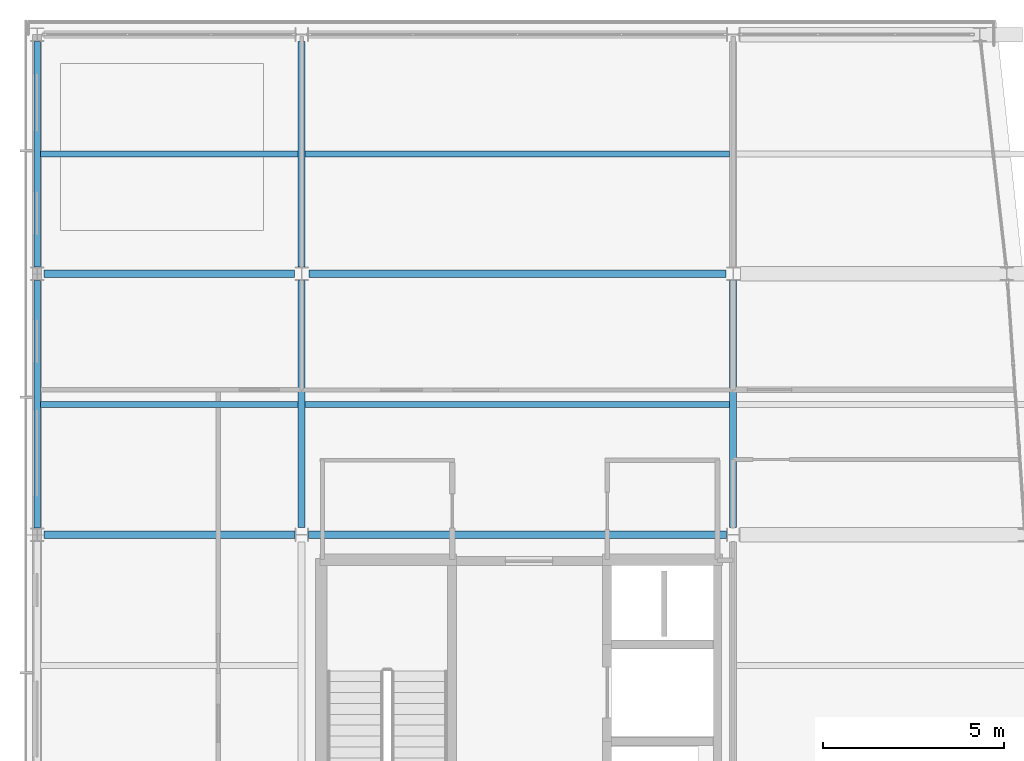
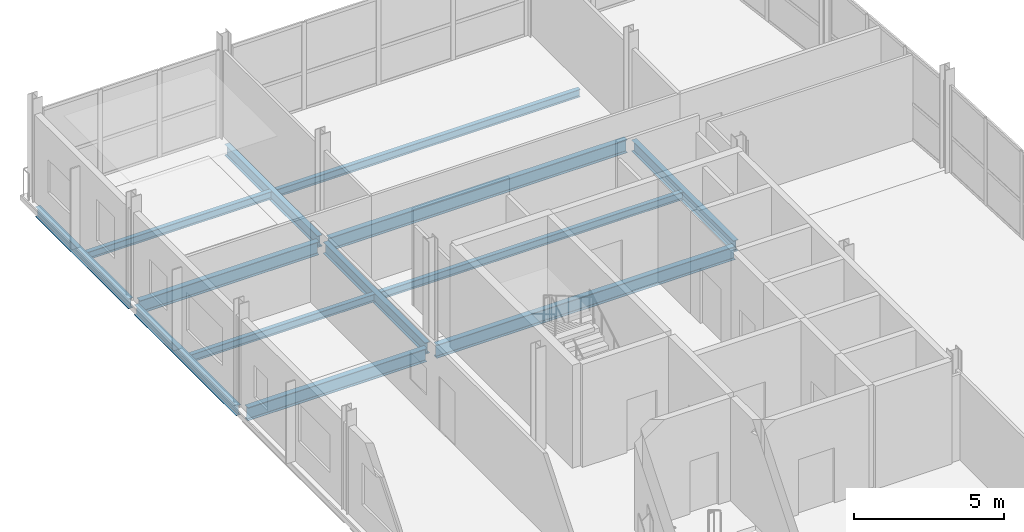
# One storey, part 8 of 23: 13 beams.
"""IFC4 building model written with IfcOpenShell, lengths in metres."""

from ifc_helpers import new_model, si_unit, direction, frame, origin, origin_2d, place, context, subcontext, project, spatial, i_section, extrude, material, material_profile, profile_set, type_object, element, save


model = new_model("IFC4")

# Units and contexts
model_context = context("Model", 3, precision=1e-05, world=origin(), true_north=direction((0.0, 1.0)))
body_context = subcontext(model_context, "Body", "Model", "MODEL_VIEW")
ifc_project = project(units=[si_unit("LENGTHUNIT", "METRE"), si_unit("AREAUNIT", "SQUARE_METRE"), si_unit("VOLUMEUNIT", "CUBIC_METRE"), si_unit("PLANEANGLEUNIT", "RADIAN"), si_unit("MASSUNIT", "GRAM", prefix="KILO")], contexts=[model_context])

# Site, building, storey
site_placement = place(None, origin())
site = spatial("IfcSite", under=ifc_project, at=site_placement, CompositionType="ELEMENT")
building_placement = place(site_placement, origin())
building = spatial("IfcBuilding", under=site, at=building_placement, Name="Quillay Park Conservatory", CompositionType="ELEMENT")
storey_placement = place(building_placement, frame((0.0, 0.0, 22.5)))
storey = spatial("IfcBuildingStorey", under=building, at=storey_placement, Name="L05", CompositionType="ELEMENT", Elevation=22.5)

# Beams
ifc_material_1 = material(Name="Steel ASTM A992 Grade 50", Category="steel")
ifc_material_profile_1 = material_profile(ifc_material_1, i_section(OverallWidth=0.166015625, OverallDepth=0.31298828125, WebThickness=0.006591796875, FlangeThickness=0.01123046875, FilletRadius=0.010009765625, at=origin_2d()), Name="W310x45")
ifc_profile_set_1 = profile_set([ifc_material_profile_1], Name="Steel ASTM A992 Grade 50")
beam_type_1 = type_object("IfcBeamType", Name="COMPOSITE FLOOR JOIST W310 X45", PredefinedType="JOIST", material=ifc_profile_set_1)
beam_1_placement = place(storey_placement, frame((0.639892578125, 103.199951171875, -0.3564453125), z_axis=(1.0, 0.0, 0.0), x_axis=(0.0, 1.0, 0.0)))
element("IfcBeam", 1, at=beam_1_placement, inside=storey, type_object=beam_type_1, Name="L05 beam BM-J-0438", PredefinedType="JOIST", context=body_context, shape_type="SweptSolid", body=[
    extrude(i_section(OverallWidth=0.166015625, OverallDepth=0.31298828125, WebThickness=0.006591796875, FlangeThickness=0.01123046875, FilletRadius=0.010009765625, at=origin_2d()), origin(), (0.0, 0.0, 1.0), 7.114013671875),
])
beam_2_placement = place(storey_placement, frame((7.946044921875, 103.199951171875, -0.3564453125), z_axis=(1.0, 0.0, 0.0), x_axis=(0.0, 1.0, 0.0)))
element("IfcBeam", 2, at=beam_2_placement, inside=storey, type_object=beam_type_1, Name="L05 beam BM-J-0440", PredefinedType="JOIST", context=body_context, shape_type="SweptSolid", body=[
    extrude(i_section(OverallWidth=0.166015625, OverallDepth=0.31298828125, WebThickness=0.006591796875, FlangeThickness=0.01123046875, FilletRadius=0.010009765625, at=origin_2d()), origin(), (0.0, 0.0, 1.0), 11.7080078125),
])
beam_3_placement = place(storey_placement, frame((0.639892578125, 110.10009765625, -0.3564453125), z_axis=(1.0, 0.0, 0.0), x_axis=(0.0, 1.0, 0.0)))
element("IfcBeam", 3, at=beam_3_placement, inside=storey, type_object=beam_type_1, Name="L05 beam BM-J-0445", PredefinedType="JOIST", context=body_context, shape_type="SweptSolid", body=[
    extrude(i_section(OverallWidth=0.166015625, OverallDepth=0.31298828125, WebThickness=0.006591796875, FlangeThickness=0.01123046875, FilletRadius=0.010009765625, at=origin_2d()), origin(), (0.0, 0.0, 1.0), 7.114013671875),
])
beam_4_placement = place(storey_placement, frame((7.946044921875, 110.10009765625, -0.3564453125), z_axis=(1.0, 0.0, 0.0), x_axis=(0.0, 1.0, 0.0)))
element("IfcBeam", 4, at=beam_4_placement, inside=storey, type_object=beam_type_1, Name="L05 beam BM-J-0447", PredefinedType="JOIST", context=body_context, shape_type="SweptSolid", body=[
    extrude(i_section(OverallWidth=0.166015625, OverallDepth=0.31298828125, WebThickness=0.006591796875, FlangeThickness=0.01123046875, FilletRadius=0.010009765625, at=origin_2d()), origin(), (0.0, 0.0, 1.0), 11.7080078125),
])
ifc_material_2 = material(Name="Steel ASTM A992 Grade 50", Category="steel")
ifc_material_profile_2 = material_profile(ifc_material_2, i_section(OverallWidth=0.179931640625, OverallDepth=0.4130859375, WebThickness=0.009765625, FlangeThickness=0.01611328125, FilletRadius=0.011962890625, at=origin_2d()), Name="W410x74")
ifc_profile_set_2 = profile_set([ifc_material_profile_2], Name="Steel ASTM A992 Grade 50")
beam_type_2 = type_object("IfcBeamType", Name="PERIMETER SPANDREL BEAM W410 X74", PredefinedType="SPANDREL", material=ifc_profile_set_2)
beam_5_placement = place(storey_placement, frame((0.550048828125, 99.7900390625, -0.406494140625), z_axis=(0.0, 1.0, 0.0), x_axis=(-1.0, 0.0, 0.0)))
element("IfcBeam", 5, at=beam_5_placement, inside=storey, type_object=beam_type_2, Name="L05 beam BM-SPW-0434", PredefinedType="SPANDREL", context=body_context, shape_type="SweptSolid", body=[
    extrude(i_section(OverallWidth=0.179931640625, OverallDepth=0.4130859375, WebThickness=0.009765625, FlangeThickness=0.01611328125, FilletRadius=0.011962890625, at=origin_2d()), origin(), (0.0, 0.0, 1.0), 6.820068359375),
])
beam_6_placement = place(storey_placement, frame((0.550048828125, 106.989990234375, -0.406494140625), z_axis=(0.0, 1.0, 0.0), x_axis=(-1.0, 0.0, 0.0)))
element("IfcBeam", 6, at=beam_6_placement, inside=storey, type_object=beam_type_2, Name="L05 beam BM-SPW-0441", PredefinedType="SPANDREL", context=body_context, shape_type="SweptSolid", body=[
    extrude(i_section(OverallWidth=0.179931640625, OverallDepth=0.4130859375, WebThickness=0.009765625, FlangeThickness=0.01611328125, FilletRadius=0.011962890625, at=origin_2d()), origin(), (0.0, 0.0, 1.0), 6.219970703125),
])
ifc_material_3 = material(Name="Steel ASTM A992 Grade 50", Category="steel")
ifc_material_profile_3 = material_profile(ifc_material_3, i_section(OverallWidth=0.19189453125, OverallDepth=0.462890625, WebThickness=0.010498046875, FlangeThickness=0.017578125, FilletRadius=0.012939453125, at=origin_2d()), Name="W460x89")
ifc_profile_set_3 = profile_set([ifc_material_profile_3], Name="Steel ASTM A992 Grade 50")
beam_type_3 = type_object("IfcBeamType", Name="PRIMARY FLOOR GIRDER W460 X89", PredefinedType="BEAM", material=ifc_profile_set_3)
for number, where, z_axis, x_axis, name in (
    (7, (7.85009765625, 99.797607421875, -0.431396484375), (0.0, 1.0, 0.0), (-1.0, 0.0, 0.0), "L05 beam BM-GNS-0436"),
    (8, (19.75, 99.797607421875, -0.431396484375), (0.0, 1.0, 0.0), (-1.0, 0.0, 0.0), "L05 beam BM-GNS-0437"),
):
    element("IfcBeam", number, at=place(storey_placement, frame(where, z_axis=z_axis, x_axis=x_axis)), inside=storey, type_object=beam_type_3, Name=name, PredefinedType="BEAM", context=body_context, shape_type="SweptSolid", body=[
        extrude(i_section(OverallWidth=0.19189453125, OverallDepth=0.462890625, WebThickness=0.010498046875, FlangeThickness=0.017578125, FilletRadius=0.012939453125, at=origin_2d()), origin(), (0.0, 0.0, 1.0), 6.8125),
    ])
beam_7_placement = place(storey_placement, frame((7.85009765625, 106.989990234375, -0.431396484375), z_axis=(0.0, 1.0, 0.0), x_axis=(-1.0, 0.0, 0.0)))
element("IfcBeam", 9, at=beam_7_placement, inside=storey, type_object=beam_type_3, Name="L05 beam BM-GNS-0443", PredefinedType="BEAM", context=body_context, shape_type="SweptSolid", body=[
    extrude(i_section(OverallWidth=0.19189453125, OverallDepth=0.462890625, WebThickness=0.010498046875, FlangeThickness=0.017578125, FilletRadius=0.012939453125, at=origin_2d()), origin(), (0.0, 0.0, 1.0), 6.21240234375),
])
ifc_material_4 = material(Name="Steel ASTM A992 Grade 50", Category="steel")
ifc_material_profile_4 = material_profile(ifc_material_4, i_section(OverallWidth=0.2109375, OverallDepth=0.5390625, WebThickness=0.01171875, FlangeThickness=0.018798828125, FilletRadius=0.013916015625, at=origin_2d()), Name="W530x109")
ifc_profile_set_4 = profile_set([ifc_material_profile_4], Name="Steel ASTM A992 Grade 50")
beam_type_4 = type_object("IfcBeamType", Name="PRIMARY FLOOR GIRDER W530 X109", PredefinedType="BEAM", material=ifc_profile_set_4)
beam_8_placement = place(storey_placement, frame((0.74755859375, 99.60009765625, -0.469482421875), z_axis=(1.0, 0.0, 0.0), x_axis=(0.0, 1.0, 0.0)))
element("IfcBeam", 10, at=beam_8_placement, inside=storey, type_object=beam_type_4, Name="L05 beam BM-G-0393", PredefinedType="BEAM", context=body_context, shape_type="SweptSolid", body=[
    extrude(i_section(OverallWidth=0.2109375, OverallDepth=0.5390625, WebThickness=0.01171875, FlangeThickness=0.018798828125, FilletRadius=0.013916015625, at=origin_2d()), origin(), (0.0, 0.0, 1.0), 6.912353515625),
])
beam_9_placement = place(storey_placement, frame((8.0400390625, 99.60009765625, -0.469482421875), z_axis=(1.0, 0.0, 0.0), x_axis=(0.0, 1.0, 0.0)))
element("IfcBeam", 11, at=beam_9_placement, inside=storey, type_object=beam_type_4, Name="L05 beam BM-G-0394", PredefinedType="BEAM", context=body_context, shape_type="SweptSolid", body=[
    extrude(i_section(OverallWidth=0.2109375, OverallDepth=0.5390625, WebThickness=0.01171875, FlangeThickness=0.018798828125, FilletRadius=0.013916015625, at=origin_2d()), origin(), (0.0, 0.0, 1.0), 11.52001953125),
])
beam_10_placement = place(storey_placement, frame((0.74755859375, 106.800048828125, -0.469482421875), z_axis=(1.0, 0.0, 0.0), x_axis=(0.0, 1.0, 0.0)))
element("IfcBeam", 12, at=beam_10_placement, inside=storey, type_object=beam_type_4, Name="L05 beam BM-G-0396", PredefinedType="BEAM", context=body_context, shape_type="SweptSolid", body=[
    extrude(i_section(OverallWidth=0.2109375, OverallDepth=0.5390625, WebThickness=0.01171875, FlangeThickness=0.018798828125, FilletRadius=0.013916015625, at=origin_2d()), origin(), (0.0, 0.0, 1.0), 6.905029296875),
])
beam_11_placement = place(storey_placement, frame((8.047607421875, 106.800048828125, -0.469482421875), z_axis=(1.0, 0.0, 0.0), x_axis=(0.0, 1.0, 0.0)))
element("IfcBeam", 13, at=beam_11_placement, inside=storey, type_object=beam_type_4, Name="L05 beam BM-G-0397", PredefinedType="BEAM", context=body_context, shape_type="SweptSolid", body=[
    extrude(i_section(OverallWidth=0.2109375, OverallDepth=0.5390625, WebThickness=0.01171875, FlangeThickness=0.018798828125, FilletRadius=0.013916015625, at=origin_2d()), origin(), (0.0, 0.0, 1.0), 11.5048828125),
])

save(model, "model.ifc")
